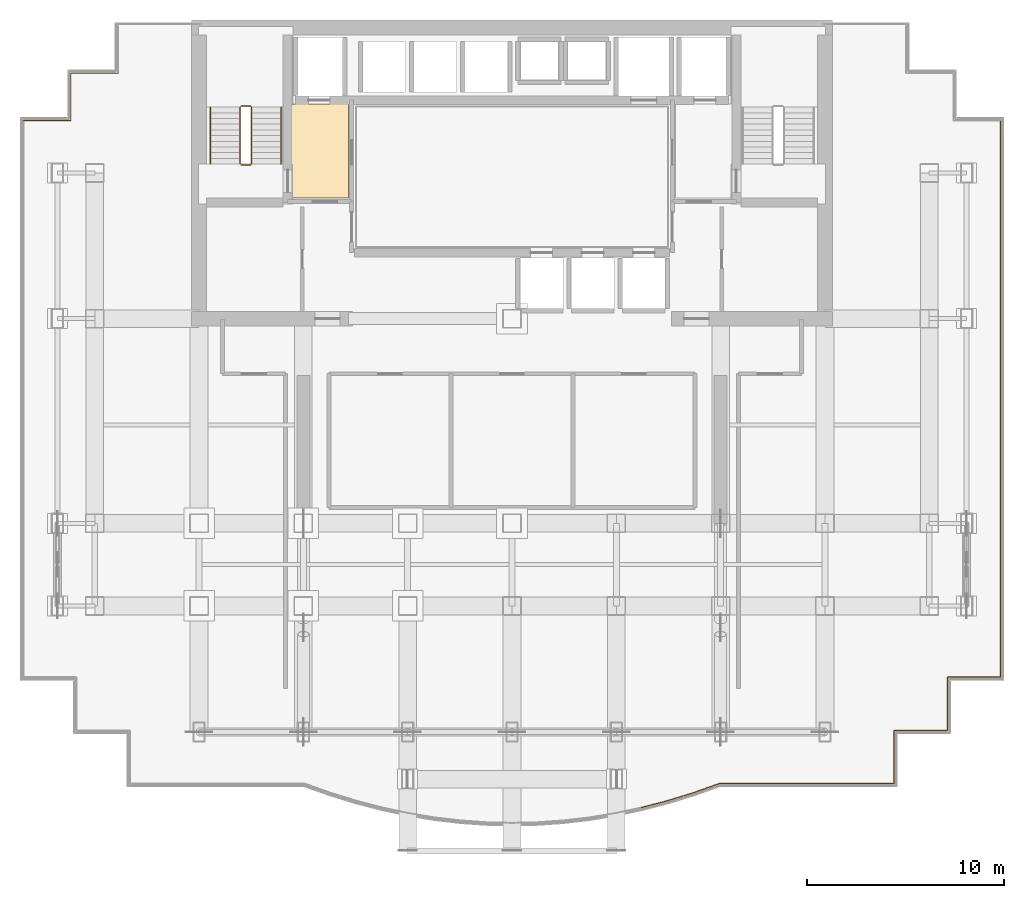
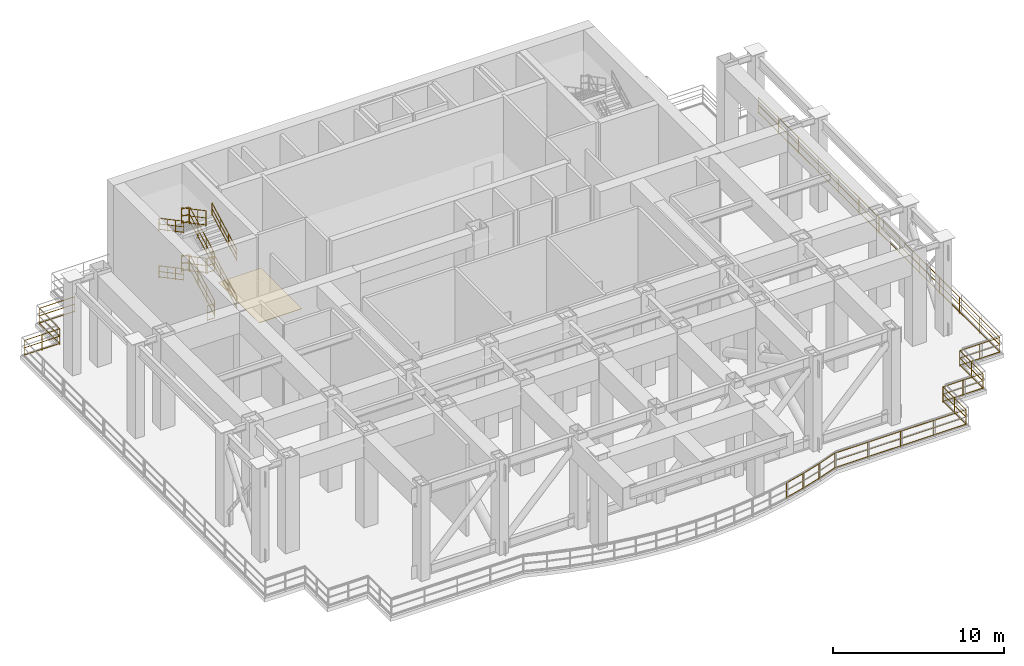
# One storey, part 7 of 8: 24 railings, 1 covering.
"""IFC4 building model written with IfcOpenShell, lengths in metres."""

from ifc_helpers import new_model, si_unit, direction, frame, origin, origin_2d, place, context, subcontext, project, spatial, polyline, circle, outline, extrude, material, layer, layer_set, type_object, element, save


model = new_model("IFC4")

# Units and contexts
model_context = context("Model", 3, precision=1e-05, world=origin(), true_north=direction((0.0, 1.0)))
body_context = subcontext(model_context, "Body", "Model", "MODEL_VIEW")
ifc_project = project(units=[si_unit("LENGTHUNIT", "METRE"), si_unit("AREAUNIT", "SQUARE_METRE"), si_unit("VOLUMEUNIT", "CUBIC_METRE"), si_unit("PLANEANGLEUNIT", "RADIAN"), si_unit("MASSUNIT", "GRAM", prefix="KILO")], contexts=[model_context])

# Site, building, storey
site_placement = place(None, origin())
site = spatial("IfcSite", under=ifc_project, at=site_placement, CompositionType="ELEMENT")
building_placement = place(site_placement, origin())
building = spatial("IfcBuilding", under=site, at=building_placement, Name="Qianlan Lanfeng Residences", CompositionType="ELEMENT")
storey_placement = place(building_placement, frame((0.0, 0.0, 127.89990234375)))
storey = spatial("IfcBuildingStorey", under=building, at=storey_placement, Name="L35", CompositionType="ELEMENT", Elevation=127.89990234375)

# Covering
ifc_material_1 = material(Name="Honed Taitung Granite Stone Flooring", Category="masonry")
ifc_layer = layer(ifc_material_1, 0.030029296875)
ifc_layer_set = layer_set([ifc_layer], Name="Honed Taitung Granite Stone Flooring")
covering_type = type_object("IfcCoveringType", Name="FLR-STN-30", PredefinedType="FLOORING", material=ifc_layer_set)
covering_placement = place(storey_placement, origin())
element("IfcCovering", 1, at=covering_placement, inside=storey, type_object=covering_type, Name="L35 Firefighting Lift Lobby Floor Finish", PredefinedType="FLOORING", context=body_context, shape_type="SweptSolid", body=[
    extrude(outline(polyline([(15.2900390625, 31.320068359375), (18.179931640625, 31.320068359375), (18.179931640625, 36.110107421875), (15.2900390625, 36.110107421875), (15.2900390625, 31.320068359375)])), origin(), (0.0, 0.0, 1.0), 0.030029296875),
])

# Railings
ifc_material_2 = material(Name="Painted Galvanised Steel Guardrail", Category="steel")
railing_type_1 = type_object("IfcRailingType", Name="GR-ST-1120", PredefinedType="GUARDRAIL", material=ifc_material_2)
railing_1_placement = place(storey_placement, frame((13.27001953125, 33.050048828125, 0.154541015625)))
element("IfcRailing", 2, at=railing_1_placement, inside=storey, type_object=railing_type_1, Name="L35 ST-1 stair guard 1", PredefinedType="GUARDRAIL", context=body_context, shape_type="SweptSolid", body=[
    extrude(circle(Radius=0.02392578125, at=origin_2d()), frame((0.0, 0.0, 0.083984375), z_axis=(0.0, 0.882474251534, 0.470360707734), x_axis=(-1.0, 0.0, 0.0)), (0.0, 0.0, 1.0), 3.2861328125),
    extrude(circle(Radius=0.02392578125, at=origin_2d()), frame((0.0, 0.0, 0.58251953125), z_axis=(0.0, 0.882474251534, 0.470360707734), x_axis=(-1.0, 0.0, 0.0)), (0.0, 0.0, 1.0), 3.2861328125),
    extrude(circle(Radius=0.02392578125, at=origin_2d()), frame((0.0, 0.0, 1.09619140625), z_axis=(0.0, 0.882474251534, 0.470360707734), x_axis=(-1.0, 0.0, 0.0)), (0.0, 0.0, 1.0), 3.2861328125),
    extrude(circle(Radius=0.02099609375, at=origin_2d()), origin(), (0.0, 0.0, 1.0), 1.072021484375),
    extrude(circle(Radius=0.02099609375, at=origin_2d()), frame((0.0, 0.966552734375, 0.51513671875)), (0.0, 0.0, 1.0), 1.072021484375),
    extrude(circle(Radius=0.02099609375, at=origin_2d()), frame((0.0, 1.933349609375, 1.030517578125)), (0.0, 0.0, 1.0), 1.072021484375),
    extrude(circle(Radius=0.02099609375, at=origin_2d()), frame((0.0, 2.89990234375, 1.545654296875)), (0.0, 0.0, 1.0), 1.072021484375),
])
railing_2_placement = place(storey_placement, frame((13.219970703125, 36.0, 1.7001953125)))
element("IfcRailing", 3, at=railing_2_placement, inside=storey, type_object=railing_type_1, Name="L35 ST-1 stair guard 2", PredefinedType="GUARDRAIL", context=body_context, shape_type="SweptSolid", body=[
    extrude(circle(Radius=0.02392578125, at=origin_2d()), frame((0.0, 0.0, 0.083984375), z_axis=(-1.0, 0.0, 0.0), x_axis=(0.0, -1.0, 0.0)), (0.0, 0.0, 1.0), 0.47998046875),
    extrude(circle(Radius=0.02392578125, at=origin_2d()), frame((0.0, 0.0, 0.58251953125), z_axis=(-1.0, 0.0, 0.0), x_axis=(0.0, -1.0, 0.0)), (0.0, 0.0, 1.0), 0.47998046875),
    extrude(circle(Radius=0.02392578125, at=origin_2d()), frame((0.0, 0.0, 1.09619140625), z_axis=(-1.0, 0.0, 0.0), x_axis=(0.0, -1.0, 0.0)), (0.0, 0.0, 1.0), 0.47998046875),
    extrude(circle(Radius=0.02099609375, at=origin_2d()), origin(), (0.0, 0.0, 1.0), 1.072021484375),
    extrude(circle(Radius=0.02099609375, at=origin_2d()), frame((-0.47998046875, 0.0, 0.0)), (0.0, 0.0, 1.0), 1.072021484375),
])
railing_3_placement = place(storey_placement, frame((12.68994140625, 35.949951171875, 1.854736328125)))
element("IfcRailing", 4, at=railing_3_placement, inside=storey, type_object=railing_type_1, Name="L35 ST-1 stair guard 3", PredefinedType="GUARDRAIL", context=body_context, shape_type="SweptSolid", body=[
    extrude(circle(Radius=0.02392578125, at=origin_2d()), frame((0.0, 0.0, 0.083984375), z_axis=(0.0, -0.882505089112, 0.470302846782), x_axis=(1.0, 0.0, 0.0)), (0.0, 0.0, 1.0), 3.285888671875),
    extrude(circle(Radius=0.02392578125, at=origin_2d()), frame((0.0, 0.0, 0.58251953125), z_axis=(0.0, -0.882505089112, 0.470302846782), x_axis=(1.0, 0.0, 0.0)), (0.0, 0.0, 1.0), 3.285888671875),
    extrude(circle(Radius=0.02392578125, at=origin_2d()), frame((0.0, 0.0, 1.09619140625), z_axis=(0.0, -0.882505089112, 0.470302846782), x_axis=(1.0, 0.0, 0.0)), (0.0, 0.0, 1.0), 3.285888671875),
    extrude(circle(Radius=0.02099609375, at=origin_2d()), origin(), (0.0, 0.0, 1.0), 1.072021484375),
    extrude(circle(Radius=0.02099609375, at=origin_2d()), frame((0.0, -0.966552734375, 0.51513671875)), (0.0, 0.0, 1.0), 1.072021484375),
    extrude(circle(Radius=0.02099609375, at=origin_2d()), frame((0.0, -1.933349609375, 1.0302734375)), (0.0, 0.0, 1.0), 1.072021484375),
    extrude(circle(Radius=0.02099609375, at=origin_2d()), frame((0.0, -2.89990234375, 1.54541015625)), (0.0, 0.0, 1.0), 1.072021484375),
])
railing_4_placement = place(storey_placement, frame((13.219970703125, 33.0, 3.400146484375)))
element("IfcRailing", 5, at=railing_4_placement, inside=storey, type_object=railing_type_1, Name="L35 ST-1 stair guard 4", PredefinedType="GUARDRAIL", context=body_context, shape_type="SweptSolid", body=[
    extrude(circle(Radius=0.02392578125, at=origin_2d()), frame((0.0, 0.0, 0.083984375), z_axis=(-1.0, 0.0, 0.0), x_axis=(0.0, -1.0, 0.0)), (0.0, 0.0, 1.0), 0.47998046875),
    extrude(circle(Radius=0.02392578125, at=origin_2d()), frame((0.0, 0.0, 0.58251953125), z_axis=(-1.0, 0.0, 0.0), x_axis=(0.0, -1.0, 0.0)), (0.0, 0.0, 1.0), 0.47998046875),
    extrude(circle(Radius=0.02392578125, at=origin_2d()), frame((0.0, 0.0, 1.09619140625), z_axis=(-1.0, 0.0, 0.0), x_axis=(0.0, -1.0, 0.0)), (0.0, 0.0, 1.0), 0.47998046875),
    extrude(circle(Radius=0.02099609375, at=origin_2d()), origin(), (0.0, 0.0, 1.0), 1.072021484375),
    extrude(circle(Radius=0.02099609375, at=origin_2d()), frame((-0.47998046875, 0.0, 0.0)), (0.0, 0.0, 1.0), 1.072021484375),
])
railing_5_placement = place(storey_placement, frame((13.27001953125, 33.050048828125, 3.5546875)))
element("IfcRailing", 6, at=railing_5_placement, inside=storey, type_object=railing_type_1, Name="L35 ST-1 stair guard 5", PredefinedType="GUARDRAIL", context=body_context, shape_type="SweptSolid", body=[
    extrude(circle(Radius=0.02392578125, at=origin_2d()), frame((0.0, 0.0, 0.083984375), z_axis=(0.0, 0.882505089112, 0.470302846782), x_axis=(-1.0, 0.0, 0.0)), (0.0, 0.0, 1.0), 3.285888671875),
    extrude(circle(Radius=0.02392578125, at=origin_2d()), frame((0.0, 0.0, 0.58251953125), z_axis=(0.0, 0.882505089112, 0.470302846782), x_axis=(-1.0, 0.0, 0.0)), (0.0, 0.0, 1.0), 3.285888671875),
    extrude(circle(Radius=0.02392578125, at=origin_2d()), frame((0.0, 0.0, 1.09619140625), z_axis=(0.0, 0.882505089112, 0.470302846782), x_axis=(-1.0, 0.0, 0.0)), (0.0, 0.0, 1.0), 3.285888671875),
    extrude(circle(Radius=0.02099609375, at=origin_2d()), origin(), (0.0, 0.0, 1.0), 1.072021484375),
    extrude(circle(Radius=0.02099609375, at=origin_2d()), frame((0.0, 0.966552734375, 0.51513671875)), (0.0, 0.0, 1.0), 1.072021484375),
    extrude(circle(Radius=0.02099609375, at=origin_2d()), frame((0.0, 1.933349609375, 1.0302734375)), (0.0, 0.0, 1.0), 1.072021484375),
    extrude(circle(Radius=0.02099609375, at=origin_2d()), frame((0.0, 2.89990234375, 1.54541015625)), (0.0, 0.0, 1.0), 1.072021484375),
])
railing_6_placement = place(storey_placement, frame((13.219970703125, 36.0, 5.10009765625)))
element("IfcRailing", 7, at=railing_6_placement, inside=storey, type_object=railing_type_1, Name="L35 ST-1 stair guard 6", PredefinedType="GUARDRAIL", context=body_context, shape_type="SweptSolid", body=[
    extrude(circle(Radius=0.02392578125, at=origin_2d()), frame((0.0, 0.0, 0.083984375), z_axis=(-1.0, 0.0, 0.0), x_axis=(0.0, -1.0, 0.0)), (0.0, 0.0, 1.0), 0.47998046875),
    extrude(circle(Radius=0.02392578125, at=origin_2d()), frame((0.0, 0.0, 0.58251953125), z_axis=(-1.0, 0.0, 0.0), x_axis=(0.0, -1.0, 0.0)), (0.0, 0.0, 1.0), 0.47998046875),
    extrude(circle(Radius=0.02392578125, at=origin_2d()), frame((0.0, 0.0, 1.09619140625), z_axis=(-1.0, 0.0, 0.0), x_axis=(0.0, -1.0, 0.0)), (0.0, 0.0, 1.0), 0.47998046875),
    extrude(circle(Radius=0.02099609375, at=origin_2d()), origin(), (0.0, 0.0, 1.0), 1.072021484375),
    extrude(circle(Radius=0.02099609375, at=origin_2d()), frame((-0.47998046875, 0.0, 0.0)), (0.0, 0.0, 1.0), 1.072021484375),
])
railing_7_placement = place(storey_placement, frame((12.68994140625, 35.949951171875, 5.254638671875)))
element("IfcRailing", 8, at=railing_7_placement, inside=storey, type_object=railing_type_1, Name="L35 ST-1 stair guard 7", PredefinedType="GUARDRAIL", context=body_context, shape_type="SweptSolid", body=[
    extrude(circle(Radius=0.02392578125, at=origin_2d()), frame((0.0, 0.0, 0.083984375), z_axis=(0.0, -0.882505089112, 0.470302846782), x_axis=(1.0, 0.0, 0.0)), (0.0, 0.0, 1.0), 3.285888671875),
    extrude(circle(Radius=0.02392578125, at=origin_2d()), frame((0.0, 0.0, 0.58251953125), z_axis=(0.0, -0.882505089112, 0.470302846782), x_axis=(1.0, 0.0, 0.0)), (0.0, 0.0, 1.0), 3.285888671875),
    extrude(circle(Radius=0.02392578125, at=origin_2d()), frame((0.0, 0.0, 1.09619140625), z_axis=(0.0, -0.882505089112, 0.470302846782), x_axis=(1.0, 0.0, 0.0)), (0.0, 0.0, 1.0), 3.285888671875),
    extrude(circle(Radius=0.02099609375, at=origin_2d()), origin(), (0.0, 0.0, 1.0), 1.072021484375),
    extrude(circle(Radius=0.02099609375, at=origin_2d()), frame((0.0, -0.966552734375, 0.51513671875)), (0.0, 0.0, 1.0), 1.072021484375),
    extrude(circle(Radius=0.02099609375, at=origin_2d()), frame((0.0, -1.933349609375, 1.0302734375)), (0.0, 0.0, 1.0), 1.072021484375),
    extrude(circle(Radius=0.02099609375, at=origin_2d()), frame((0.0, -2.89990234375, 1.54541015625)), (0.0, 0.0, 1.0), 1.072021484375),
])
railing_8_placement = place(storey_placement, frame((13.219970703125, 33.0, 0.0)))
element("IfcRailing", 9, at=railing_8_placement, inside=storey, type_object=railing_type_1, Name="L35 ST-1 stair guard 8", PredefinedType="GUARDRAIL", context=body_context, shape_type="SweptSolid", body=[
    extrude(circle(Radius=0.02392578125, at=origin_2d()), frame((0.0, 0.0, 0.083984375), z_axis=(-1.0, 0.0, 0.0), x_axis=(0.0, -1.0, 0.0)), (0.0, 0.0, 1.0), 0.47998046875),
    extrude(circle(Radius=0.02392578125, at=origin_2d()), frame((0.0, 0.0, 0.58251953125), z_axis=(-1.0, 0.0, 0.0), x_axis=(0.0, -1.0, 0.0)), (0.0, 0.0, 1.0), 0.47998046875),
    extrude(circle(Radius=0.02392578125, at=origin_2d()), frame((0.0, 0.0, 1.09619140625), z_axis=(-1.0, 0.0, 0.0), x_axis=(0.0, -1.0, 0.0)), (0.0, 0.0, 1.0), 0.47998046875),
    extrude(circle(Radius=0.02099609375, at=origin_2d()), origin(), (0.0, 0.0, 1.0), 1.072021484375),
    extrude(circle(Radius=0.02099609375, at=origin_2d()), frame((-0.47998046875, 0.0, 0.0)), (0.0, 0.0, 1.0), 1.072021484375),
])
railing_9_placement = place(storey_placement, frame((1.679931640625, 35.27001953125, 0.0)))
element("IfcRailing", 10, at=railing_9_placement, inside=storey, type_object=railing_type_1, Name="L35 Wind-Slot Open Perimeter Guardrail 2", PredefinedType="GUARDRAIL", context=body_context, shape_type="SweptSolid", body=[
    extrude(circle(Radius=0.02392578125, at=origin_2d()), frame((0.0, 0.0, 0.083984375), z_axis=(1.0, 0.0, 0.0), x_axis=(0.0, 1.0, 0.0)), (0.0, 0.0, 1.0), 2.400146484375),
    extrude(circle(Radius=0.02392578125, at=origin_2d()), frame((0.0, 0.0, 0.597900390625), z_axis=(1.0, 0.0, 0.0), x_axis=(0.0, 1.0, 0.0)), (0.0, 0.0, 1.0), 2.400146484375),
    extrude(circle(Radius=0.02392578125, at=origin_2d()), frame((0.0, 0.0, 1.1259765625), z_axis=(1.0, 0.0, 0.0), x_axis=(0.0, 1.0, 0.0)), (0.0, 0.0, 1.0), 2.400146484375),
    extrude(circle(Radius=0.02099609375, at=origin_2d()), origin(), (0.0, 0.0, 1.0), 1.101806640625),
    extrude(circle(Radius=0.02099609375, at=origin_2d()), frame((1.2001953125, 0.0, 0.0)), (0.0, 0.0, 1.0), 1.101806640625),
    extrude(circle(Radius=0.02099609375, at=origin_2d()), frame((2.400146484375, 0.0, 0.0)), (0.0, 0.0, 1.0), 1.101806640625),
])
railing_10_placement = place(storey_placement, frame((4.080078125, 35.27001953125, 0.0)))
element("IfcRailing", 11, at=railing_10_placement, inside=storey, type_object=railing_type_1, Name="L35 Wind-Slot Open Perimeter Guardrail 3", PredefinedType="GUARDRAIL", context=body_context, shape_type="SweptSolid", body=[
    extrude(circle(Radius=0.02392578125, at=origin_2d()), frame((0.0, 0.0, 0.083984375), z_axis=(0.0, 1.0, 0.0), x_axis=(-1.0, 0.0, 0.0)), (0.0, 0.0, 1.0), 2.39990234375),
    extrude(circle(Radius=0.02392578125, at=origin_2d()), frame((0.0, 0.0, 0.597900390625), z_axis=(0.0, 1.0, 0.0), x_axis=(-1.0, 0.0, 0.0)), (0.0, 0.0, 1.0), 2.39990234375),
    extrude(circle(Radius=0.02392578125, at=origin_2d()), frame((0.0, 0.0, 1.1259765625), z_axis=(0.0, 1.0, 0.0), x_axis=(-1.0, 0.0, 0.0)), (0.0, 0.0, 1.0), 2.39990234375),
    extrude(circle(Radius=0.02099609375, at=origin_2d()), origin(), (0.0, 0.0, 1.0), 1.101806640625),
    extrude(circle(Radius=0.02099609375, at=origin_2d()), frame((0.0, 2.39990234375, 0.0)), (0.0, 0.0, 1.0), 1.101806640625),
])
railing_11_placement = place(storey_placement, frame((4.080078125, 37.669921875, 0.0)))
element("IfcRailing", 12, at=railing_11_placement, inside=storey, type_object=railing_type_1, Name="L35 Wind-Slot Open Perimeter Guardrail 4", PredefinedType="GUARDRAIL", context=body_context, shape_type="SweptSolid", body=[
    extrude(circle(Radius=0.02392578125, at=origin_2d()), frame((0.0, 0.0, 0.083984375), z_axis=(1.0, 0.0, 0.0), x_axis=(0.0, 1.0, 0.0)), (0.0, 0.0, 1.0), 2.39990234375),
    extrude(circle(Radius=0.02392578125, at=origin_2d()), frame((0.0, 0.0, 0.597900390625), z_axis=(1.0, 0.0, 0.0), x_axis=(0.0, 1.0, 0.0)), (0.0, 0.0, 1.0), 2.39990234375),
    extrude(circle(Radius=0.02392578125, at=origin_2d()), frame((0.0, 0.0, 1.1259765625), z_axis=(1.0, 0.0, 0.0), x_axis=(0.0, 1.0, 0.0)), (0.0, 0.0, 1.0), 2.39990234375),
    extrude(circle(Radius=0.02099609375, at=origin_2d()), origin(), (0.0, 0.0, 1.0), 1.101806640625),
    extrude(circle(Radius=0.02099609375, at=origin_2d()), frame((2.39990234375, 0.0, 0.0)), (0.0, 0.0, 1.0), 1.101806640625),
])
railing_12_placement = place(storey_placement, frame((51.320068359375, 35.27001953125, 0.0)))
element("IfcRailing", 13, at=railing_12_placement, inside=storey, type_object=railing_type_1, Name="L35 Wind-Slot Open Perimeter Guardrail 10", PredefinedType="GUARDRAIL", context=body_context, shape_type="SweptSolid", body=[
    extrude(circle(Radius=0.02392578125, at=origin_2d()), frame((0.0, 0.0, 0.083984375), z_axis=(0.0, -1.0, 0.0), x_axis=(1.0, 0.0, 0.0)), (0.0, 0.0, 1.0), 28.2900390625),
    extrude(circle(Radius=0.02392578125, at=origin_2d()), frame((0.0, 0.0, 0.597900390625), z_axis=(0.0, -1.0, 0.0), x_axis=(1.0, 0.0, 0.0)), (0.0, 0.0, 1.0), 28.2900390625),
    extrude(circle(Radius=0.02392578125, at=origin_2d()), frame((0.0, 0.0, 1.1259765625), z_axis=(0.0, -1.0, 0.0), x_axis=(1.0, 0.0, 0.0)), (0.0, 0.0, 1.0), 28.2900390625),
    extrude(circle(Radius=0.02099609375, at=origin_2d()), origin(), (0.0, 0.0, 1.0), 1.101806640625),
    extrude(circle(Radius=0.02099609375, at=origin_2d()), frame((0.0, -2.357421875, 0.0)), (0.0, 0.0, 1.0), 1.101806640625),
    extrude(circle(Radius=0.02099609375, at=origin_2d()), frame((0.0, -4.715087890625, 0.0)), (0.0, 0.0, 1.0), 1.101806640625),
    extrude(circle(Radius=0.02099609375, at=origin_2d()), frame((0.0, -7.072509765625, 0.0)), (0.0, 0.0, 1.0), 1.101806640625),
    extrude(circle(Radius=0.02099609375, at=origin_2d()), frame((0.0, -9.429931640625, 0.0)), (0.0, 0.0, 1.0), 1.101806640625),
    extrude(circle(Radius=0.02099609375, at=origin_2d()), frame((0.0, -11.78759765625, 0.0)), (0.0, 0.0, 1.0), 1.101806640625),
    extrude(circle(Radius=0.02099609375, at=origin_2d()), frame((0.0, -14.14501953125, 0.0)), (0.0, 0.0, 1.0), 1.101806640625),
    extrude(circle(Radius=0.02099609375, at=origin_2d()), frame((0.0, -16.50244140625, 0.0)), (0.0, 0.0, 1.0), 1.101806640625),
    extrude(circle(Radius=0.02099609375, at=origin_2d()), frame((0.0, -18.860107421875, 0.0)), (0.0, 0.0, 1.0), 1.101806640625),
    extrude(circle(Radius=0.02099609375, at=origin_2d()), frame((0.0, -21.217529296875, 0.0)), (0.0, 0.0, 1.0), 1.101806640625),
    extrude(circle(Radius=0.02099609375, at=origin_2d()), frame((0.0, -23.574951171875, 0.0)), (0.0, 0.0, 1.0), 1.101806640625),
    extrude(circle(Radius=0.02099609375, at=origin_2d()), frame((0.0, -25.9326171875, 0.0)), (0.0, 0.0, 1.0), 1.101806640625),
    extrude(circle(Radius=0.02099609375, at=origin_2d()), frame((0.0, -28.2900390625, 0.0)), (0.0, 0.0, 1.0), 1.101806640625),
])
railing_13_placement = place(storey_placement, frame((51.320068359375, 6.97998046875, 0.0)))
element("IfcRailing", 14, at=railing_13_placement, inside=storey, type_object=railing_type_1, Name="L35 Wind-Slot Open Perimeter Guardrail 11", PredefinedType="GUARDRAIL", context=body_context, shape_type="SweptSolid", body=[
    extrude(circle(Radius=0.02392578125, at=origin_2d()), frame((0.0, 0.0, 0.083984375), z_axis=(-1.0, 0.0, 0.0), x_axis=(0.0, -1.0, 0.0)), (0.0, 0.0, 1.0), 2.699951171875),
    extrude(circle(Radius=0.02392578125, at=origin_2d()), frame((0.0, 0.0, 0.597900390625), z_axis=(-1.0, 0.0, 0.0), x_axis=(0.0, -1.0, 0.0)), (0.0, 0.0, 1.0), 2.699951171875),
    extrude(circle(Radius=0.02392578125, at=origin_2d()), frame((0.0, 0.0, 1.1259765625), z_axis=(-1.0, 0.0, 0.0), x_axis=(0.0, -1.0, 0.0)), (0.0, 0.0, 1.0), 2.699951171875),
    extrude(circle(Radius=0.02099609375, at=origin_2d()), origin(), (0.0, 0.0, 1.0), 1.101806640625),
    extrude(circle(Radius=0.02099609375, at=origin_2d()), frame((-1.35009765625, 0.0, 0.0)), (0.0, 0.0, 1.0), 1.101806640625),
    extrude(circle(Radius=0.02099609375, at=origin_2d()), frame((-2.699951171875, 0.0, 0.0)), (0.0, 0.0, 1.0), 1.101806640625),
])
railing_14_placement = place(storey_placement, frame((48.6201171875, 6.97998046875, 0.0)))
element("IfcRailing", 15, at=railing_14_placement, inside=storey, type_object=railing_type_1, Name="L35 Wind-Slot Open Perimeter Guardrail 12", PredefinedType="GUARDRAIL", context=body_context, shape_type="SweptSolid", body=[
    extrude(circle(Radius=0.02392578125, at=origin_2d()), frame((0.0, 0.0, 0.083984375), z_axis=(0.0, -1.0, 0.0), x_axis=(1.0, 0.0, 0.0)), (0.0, 0.0, 1.0), 2.699951171875),
    extrude(circle(Radius=0.02392578125, at=origin_2d()), frame((0.0, 0.0, 0.597900390625), z_axis=(0.0, -1.0, 0.0), x_axis=(1.0, 0.0, 0.0)), (0.0, 0.0, 1.0), 2.699951171875),
    extrude(circle(Radius=0.02392578125, at=origin_2d()), frame((0.0, 0.0, 1.1259765625), z_axis=(0.0, -1.0, 0.0), x_axis=(1.0, 0.0, 0.0)), (0.0, 0.0, 1.0), 2.699951171875),
    extrude(circle(Radius=0.02099609375, at=origin_2d()), origin(), (0.0, 0.0, 1.0), 1.101806640625),
    extrude(circle(Radius=0.02099609375, at=origin_2d()), frame((0.0, -1.35009765625, 0.0)), (0.0, 0.0, 1.0), 1.101806640625),
    extrude(circle(Radius=0.02099609375, at=origin_2d()), frame((0.0, -2.699951171875, 0.0)), (0.0, 0.0, 1.0), 1.101806640625),
])
railing_15_placement = place(storey_placement, frame((48.6201171875, 4.280029296875, 0.0)))
element("IfcRailing", 16, at=railing_15_placement, inside=storey, type_object=railing_type_1, Name="L35 Wind-Slot Open Perimeter Guardrail 13", PredefinedType="GUARDRAIL", context=body_context, shape_type="SweptSolid", body=[
    extrude(circle(Radius=0.02392578125, at=origin_2d()), frame((0.0, 0.0, 0.083984375), z_axis=(-1.0, 0.0, 0.0), x_axis=(0.0, -1.0, 0.0)), (0.0, 0.0, 1.0), 2.7001953125),
    extrude(circle(Radius=0.02392578125, at=origin_2d()), frame((0.0, 0.0, 0.597900390625), z_axis=(-1.0, 0.0, 0.0), x_axis=(0.0, -1.0, 0.0)), (0.0, 0.0, 1.0), 2.7001953125),
    extrude(circle(Radius=0.02392578125, at=origin_2d()), frame((0.0, 0.0, 1.1259765625), z_axis=(-1.0, 0.0, 0.0), x_axis=(0.0, -1.0, 0.0)), (0.0, 0.0, 1.0), 2.7001953125),
    extrude(circle(Radius=0.02099609375, at=origin_2d()), origin(), (0.0, 0.0, 1.0), 1.101806640625),
    extrude(circle(Radius=0.02099609375, at=origin_2d()), frame((-1.35009765625, 0.0, 0.0)), (0.0, 0.0, 1.0), 1.101806640625),
    extrude(circle(Radius=0.02099609375, at=origin_2d()), frame((-2.7001953125, 0.0, 0.0)), (0.0, 0.0, 1.0), 1.101806640625),
])
railing_16_placement = place(storey_placement, frame((45.919921875, 4.280029296875, 0.0)))
element("IfcRailing", 17, at=railing_16_placement, inside=storey, type_object=railing_type_1, Name="L35 Wind-Slot Open Perimeter Guardrail 14", PredefinedType="GUARDRAIL", context=body_context, shape_type="SweptSolid", body=[
    extrude(circle(Radius=0.02392578125, at=origin_2d()), frame((0.0, 0.0, 0.083984375), z_axis=(0.0, -1.0, 0.0), x_axis=(1.0, 0.0, 0.0)), (0.0, 0.0, 1.0), 2.699951171875),
    extrude(circle(Radius=0.02392578125, at=origin_2d()), frame((0.0, 0.0, 0.597900390625), z_axis=(0.0, -1.0, 0.0), x_axis=(1.0, 0.0, 0.0)), (0.0, 0.0, 1.0), 2.699951171875),
    extrude(circle(Radius=0.02392578125, at=origin_2d()), frame((0.0, 0.0, 1.1259765625), z_axis=(0.0, -1.0, 0.0), x_axis=(1.0, 0.0, 0.0)), (0.0, 0.0, 1.0), 2.699951171875),
    extrude(circle(Radius=0.02099609375, at=origin_2d()), origin(), (0.0, 0.0, 1.0), 1.101806640625),
    extrude(circle(Radius=0.02099609375, at=origin_2d()), frame((0.0, -1.35009765625, 0.0)), (0.0, 0.0, 1.0), 1.101806640625),
    extrude(circle(Radius=0.02099609375, at=origin_2d()), frame((0.0, -2.699951171875, 0.0)), (0.0, 0.0, 1.0), 1.101806640625),
])
railing_17_placement = place(storey_placement, frame((45.919921875, 1.580078125, 0.0)))
element("IfcRailing", 18, at=railing_17_placement, inside=storey, type_object=railing_type_1, Name="L35 Wind-Slot Open Perimeter Guardrail 15", PredefinedType="GUARDRAIL", context=body_context, shape_type="SweptSolid", body=[
    extrude(circle(Radius=0.02392578125, at=origin_2d()), frame((0.0, 0.0, 0.083984375), z_axis=(-1.0, 0.0, 0.0), x_axis=(0.0, -1.0, 0.0)), (0.0, 0.0, 1.0), 8.870849609375),
    extrude(circle(Radius=0.02392578125, at=origin_2d()), frame((0.0, 0.0, 0.597900390625), z_axis=(-1.0, 0.0, 0.0), x_axis=(0.0, -1.0, 0.0)), (0.0, 0.0, 1.0), 8.870849609375),
    extrude(circle(Radius=0.02392578125, at=origin_2d()), frame((0.0, 0.0, 1.1259765625), z_axis=(-1.0, 0.0, 0.0), x_axis=(0.0, -1.0, 0.0)), (0.0, 0.0, 1.0), 8.870849609375),
    extrude(circle(Radius=0.02099609375, at=origin_2d()), origin(), (0.0, 0.0, 1.0), 1.101806640625),
    extrude(circle(Radius=0.02099609375, at=origin_2d()), frame((-2.2177734375, 0.0, 0.0)), (0.0, 0.0, 1.0), 1.101806640625),
    extrude(circle(Radius=0.02099609375, at=origin_2d()), frame((-4.435546875, 0.0, 0.0)), (0.0, 0.0, 1.0), 1.101806640625),
    extrude(circle(Radius=0.02099609375, at=origin_2d()), frame((-6.653076171875, 0.0, 0.0)), (0.0, 0.0, 1.0), 1.101806640625),
    extrude(circle(Radius=0.02099609375, at=origin_2d()), frame((-8.870849609375, 0.0, 0.0)), (0.0, 0.0, 1.0), 1.101806640625),
])
railing_18_placement = place(storey_placement, frame((37.049072265625, 1.580078125, 0.0)))
element("IfcRailing", 19, at=railing_18_placement, inside=storey, type_object=railing_type_1, Name="L35 Wind-Slot Open Perimeter Guardrail 16", PredefinedType="GUARDRAIL", context=body_context, shape_type="SweptSolid", body=[
    extrude(circle(Radius=0.02392578125, at=origin_2d()), frame((0.0, 0.0, 0.083984375), z_axis=(-0.942504070197, -0.334194670309, 0.0), x_axis=(0.334194670309, -0.942504070197, 0.0)), (0.0, 0.0, 1.0), 1.430419921875),
    extrude(circle(Radius=0.02392578125, at=origin_2d()), frame((0.0, 0.0, 0.597900390625), z_axis=(-0.942504070197, -0.334194670309, 0.0), x_axis=(0.334194670309, -0.942504070197, 0.0)), (0.0, 0.0, 1.0), 1.430419921875),
    extrude(circle(Radius=0.02392578125, at=origin_2d()), frame((0.0, 0.0, 1.1259765625), z_axis=(-0.942504070197, -0.334194670309, 0.0), x_axis=(0.334194670309, -0.942504070197, 0.0)), (0.0, 0.0, 1.0), 1.430419921875),
    extrude(circle(Radius=0.02099609375, at=origin_2d()), origin(), (0.0, 0.0, 1.0), 1.101806640625),
    extrude(circle(Radius=0.02099609375, at=origin_2d()), frame((-1.34814453125, -0.47802734375, 0.0)), (0.0, 0.0, 1.0), 1.101806640625),
])
railing_19_placement = place(storey_placement, frame((35.700927734375, 1.10205078125, 0.0)))
element("IfcRailing", 20, at=railing_19_placement, inside=storey, type_object=railing_type_1, Name="L35 Wind-Slot Open Perimeter Guardrail 17", PredefinedType="GUARDRAIL", context=body_context, shape_type="SweptSolid", body=[
    extrude(circle(Radius=0.02392578125, at=origin_2d()), frame((0.0, 0.0, 0.083984375), z_axis=(-0.955890223065, -0.293724158777, 0.0), x_axis=(0.293724158777, -0.955890223065, 0.0)), (0.0, 0.0, 1.0), 1.375732421875),
    extrude(circle(Radius=0.02392578125, at=origin_2d()), frame((0.0, 0.0, 0.597900390625), z_axis=(-0.955890223065, -0.293724158777, 0.0), x_axis=(0.293724158777, -0.955890223065, 0.0)), (0.0, 0.0, 1.0), 1.375732421875),
    extrude(circle(Radius=0.02392578125, at=origin_2d()), frame((0.0, 0.0, 1.1259765625), z_axis=(-0.955890223065, -0.293724158777, 0.0), x_axis=(0.293724158777, -0.955890223065, 0.0)), (0.0, 0.0, 1.0), 1.375732421875),
    extrude(circle(Radius=0.02099609375, at=origin_2d()), origin(), (0.0, 0.0, 1.0), 1.101806640625),
    extrude(circle(Radius=0.02099609375, at=origin_2d()), frame((-1.31494140625, -0.404052734375, 0.0)), (0.0, 0.0, 1.0), 1.101806640625),
])
railing_20_placement = place(storey_placement, frame((34.385986328125, 0.697998046875, 0.0)))
element("IfcRailing", 21, at=railing_20_placement, inside=storey, type_object=railing_type_1, Name="L35 Wind-Slot Open Perimeter Guardrail 18", PredefinedType="GUARDRAIL", context=body_context, shape_type="SweptSolid", body=[
    extrude(circle(Radius=0.02392578125, at=origin_2d()), frame((0.0, 0.0, 0.083984375), z_axis=(-0.967794494119, -0.251741568188, 0.0), x_axis=(0.251741568188, -0.967794494119, 0.0)), (0.0, 0.0, 1.0), 1.358642578125),
    extrude(circle(Radius=0.02392578125, at=origin_2d()), frame((0.0, 0.0, 0.597900390625), z_axis=(-0.967794494119, -0.251741568188, 0.0), x_axis=(0.251741568188, -0.967794494119, 0.0)), (0.0, 0.0, 1.0), 1.358642578125),
    extrude(circle(Radius=0.02392578125, at=origin_2d()), frame((0.0, 0.0, 1.1259765625), z_axis=(-0.967794494119, -0.251741568188, 0.0), x_axis=(0.251741568188, -0.967794494119, 0.0)), (0.0, 0.0, 1.0), 1.358642578125),
    extrude(circle(Radius=0.02099609375, at=origin_2d()), origin(), (0.0, 0.0, 1.0), 1.101806640625),
    extrude(circle(Radius=0.02099609375, at=origin_2d()), frame((-1.31494140625, -0.342041015625, 0.0)), (0.0, 0.0, 1.0), 1.101806640625),
])
ifc_material_3 = material(Name="Brushed Stainless Steel Handrail", Category="steel")
railing_type_2 = type_object("IfcRailingType", Name="HR-ST-920", PredefinedType="HANDRAIL", material=ifc_material_3)
railing_21_placement = place(storey_placement, frame((14.77001953125, 33.050048828125, 0.154541015625)))
element("IfcRailing", 22, at=railing_21_placement, inside=storey, type_object=railing_type_2, Name="L35 ST-1 stair handrail 1", PredefinedType="HANDRAIL", context=body_context, shape_type="SweptSolid", body=[
    extrude(circle(Radius=0.02392578125, at=origin_2d()), frame((0.0, 0.0, 0.083984375), z_axis=(0.0, 0.882474251534, 0.470360707734), x_axis=(-1.0, 0.0, 0.0)), (0.0, 0.0, 1.0), 3.2861328125),
    extrude(circle(Radius=0.02392578125, at=origin_2d()), frame((0.0, 0.0, 0.468017578125), z_axis=(0.0, 0.882474251534, 0.470360707734), x_axis=(-1.0, 0.0, 0.0)), (0.0, 0.0, 1.0), 3.2861328125),
    extrude(circle(Radius=0.02392578125, at=origin_2d()), frame((0.0, 0.0, 0.8759765625), z_axis=(0.0, 0.882474251534, 0.470360707734), x_axis=(-1.0, 0.0, 0.0)), (0.0, 0.0, 1.0), 3.2861328125),
    extrude(circle(Radius=0.02099609375, at=origin_2d()), origin(), (0.0, 0.0, 1.0), 0.851806640625),
    extrude(circle(Radius=0.02099609375, at=origin_2d()), frame((0.0, 0.966552734375, 0.51513671875)), (0.0, 0.0, 1.0), 0.851806640625),
    extrude(circle(Radius=0.02099609375, at=origin_2d()), frame((0.0, 1.933349609375, 1.030517578125)), (0.0, 0.0, 1.0), 0.851806640625),
    extrude(circle(Radius=0.02099609375, at=origin_2d()), frame((0.0, 2.89990234375, 1.545654296875)), (0.0, 0.0, 1.0), 0.851806640625),
])
railing_22_placement = place(storey_placement, frame((11.18994140625, 35.949951171875, 1.854736328125)))
element("IfcRailing", 23, at=railing_22_placement, inside=storey, type_object=railing_type_2, Name="L35 ST-1 stair handrail 2", PredefinedType="HANDRAIL", context=body_context, shape_type="SweptSolid", body=[
    extrude(circle(Radius=0.02392578125, at=origin_2d()), frame((0.0, 0.0, 0.083984375), z_axis=(0.0, -0.882505089112, 0.470302846782), x_axis=(1.0, 0.0, 0.0)), (0.0, 0.0, 1.0), 3.285888671875),
    extrude(circle(Radius=0.02392578125, at=origin_2d()), frame((0.0, 0.0, 0.468017578125), z_axis=(0.0, -0.882505089112, 0.470302846782), x_axis=(1.0, 0.0, 0.0)), (0.0, 0.0, 1.0), 3.285888671875),
    extrude(circle(Radius=0.02392578125, at=origin_2d()), frame((0.0, 0.0, 0.8759765625), z_axis=(0.0, -0.882505089112, 0.470302846782), x_axis=(1.0, 0.0, 0.0)), (0.0, 0.0, 1.0), 3.285888671875),
    extrude(circle(Radius=0.02099609375, at=origin_2d()), origin(), (0.0, 0.0, 1.0), 0.851806640625),
    extrude(circle(Radius=0.02099609375, at=origin_2d()), frame((0.0, -0.966552734375, 0.51513671875)), (0.0, 0.0, 1.0), 0.851806640625),
    extrude(circle(Radius=0.02099609375, at=origin_2d()), frame((0.0, -1.933349609375, 1.0302734375)), (0.0, 0.0, 1.0), 0.851806640625),
    extrude(circle(Radius=0.02099609375, at=origin_2d()), frame((0.0, -2.89990234375, 1.54541015625)), (0.0, 0.0, 1.0), 0.851806640625),
])
railing_23_placement = place(storey_placement, frame((14.77001953125, 33.050048828125, 3.5546875)))
element("IfcRailing", 24, at=railing_23_placement, inside=storey, type_object=railing_type_2, Name="L35 ST-1 stair handrail 3", PredefinedType="HANDRAIL", context=body_context, shape_type="SweptSolid", body=[
    extrude(circle(Radius=0.02392578125, at=origin_2d()), frame((0.0, 0.0, 0.083984375), z_axis=(0.0, 0.882505089112, 0.470302846782), x_axis=(-1.0, 0.0, 0.0)), (0.0, 0.0, 1.0), 3.285888671875),
    extrude(circle(Radius=0.02392578125, at=origin_2d()), frame((0.0, 0.0, 0.468017578125), z_axis=(0.0, 0.882505089112, 0.470302846782), x_axis=(-1.0, 0.0, 0.0)), (0.0, 0.0, 1.0), 3.285888671875),
    extrude(circle(Radius=0.02392578125, at=origin_2d()), frame((0.0, 0.0, 0.8759765625), z_axis=(0.0, 0.882505089112, 0.470302846782), x_axis=(-1.0, 0.0, 0.0)), (0.0, 0.0, 1.0), 3.285888671875),
    extrude(circle(Radius=0.02099609375, at=origin_2d()), origin(), (0.0, 0.0, 1.0), 0.851806640625),
    extrude(circle(Radius=0.02099609375, at=origin_2d()), frame((0.0, 0.966552734375, 0.51513671875)), (0.0, 0.0, 1.0), 0.851806640625),
    extrude(circle(Radius=0.02099609375, at=origin_2d()), frame((0.0, 1.933349609375, 1.0302734375)), (0.0, 0.0, 1.0), 0.851806640625),
    extrude(circle(Radius=0.02099609375, at=origin_2d()), frame((0.0, 2.89990234375, 1.54541015625)), (0.0, 0.0, 1.0), 0.851806640625),
])
railing_24_placement = place(storey_placement, frame((11.18994140625, 35.949951171875, 5.254638671875)))
element("IfcRailing", 25, at=railing_24_placement, inside=storey, type_object=railing_type_2, Name="L35 ST-1 stair handrail 4", PredefinedType="HANDRAIL", context=body_context, shape_type="SweptSolid", body=[
    extrude(circle(Radius=0.02392578125, at=origin_2d()), frame((0.0, 0.0, 0.083984375), z_axis=(0.0, -0.882505089112, 0.470302846782), x_axis=(1.0, 0.0, 0.0)), (0.0, 0.0, 1.0), 3.285888671875),
    extrude(circle(Radius=0.02392578125, at=origin_2d()), frame((0.0, 0.0, 0.468017578125), z_axis=(0.0, -0.882505089112, 0.470302846782), x_axis=(1.0, 0.0, 0.0)), (0.0, 0.0, 1.0), 3.285888671875),
    extrude(circle(Radius=0.02392578125, at=origin_2d()), frame((0.0, 0.0, 0.8759765625), z_axis=(0.0, -0.882505089112, 0.470302846782), x_axis=(1.0, 0.0, 0.0)), (0.0, 0.0, 1.0), 3.285888671875),
    extrude(circle(Radius=0.02099609375, at=origin_2d()), origin(), (0.0, 0.0, 1.0), 0.851806640625),
    extrude(circle(Radius=0.02099609375, at=origin_2d()), frame((0.0, -0.966552734375, 0.51513671875)), (0.0, 0.0, 1.0), 0.851806640625),
    extrude(circle(Radius=0.02099609375, at=origin_2d()), frame((0.0, -1.933349609375, 1.0302734375)), (0.0, 0.0, 1.0), 0.851806640625),
    extrude(circle(Radius=0.02099609375, at=origin_2d()), frame((0.0, -2.89990234375, 1.54541015625)), (0.0, 0.0, 1.0), 0.851806640625),
])

save(model, "model.ifc")
